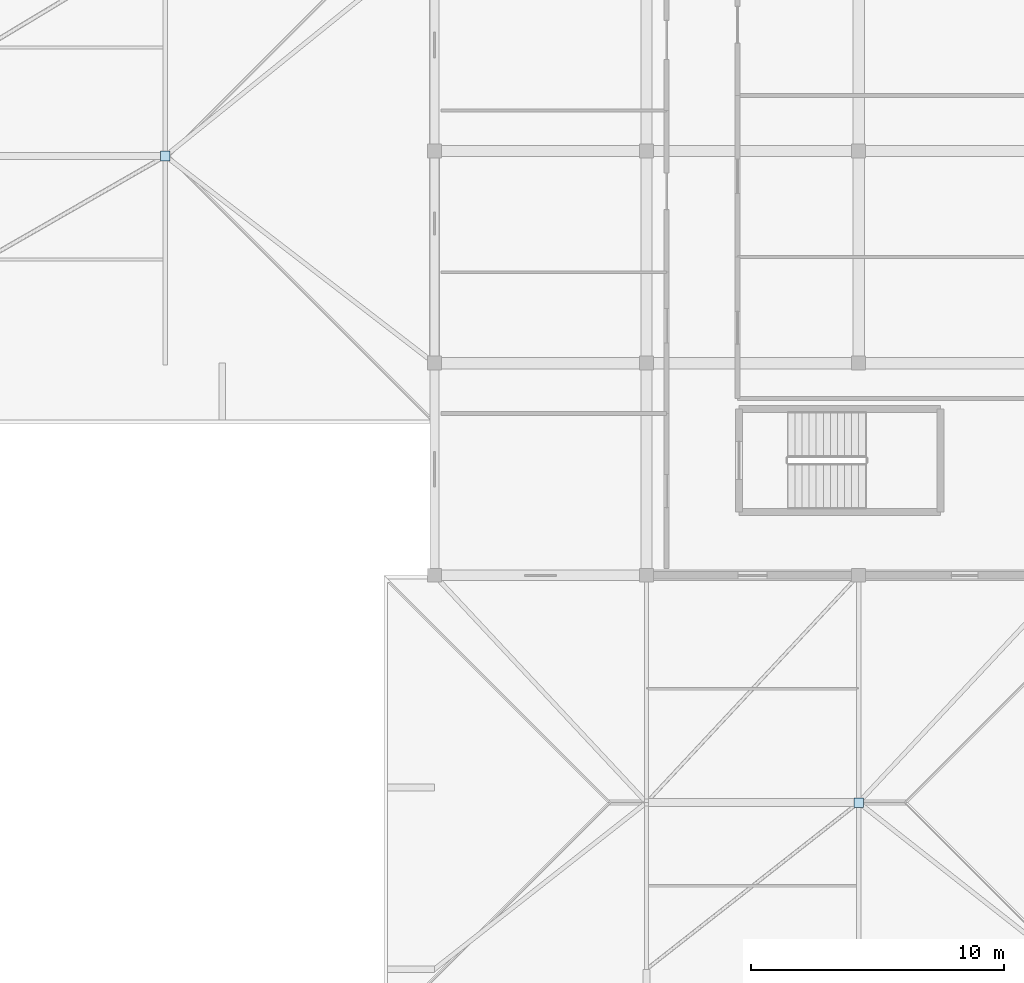
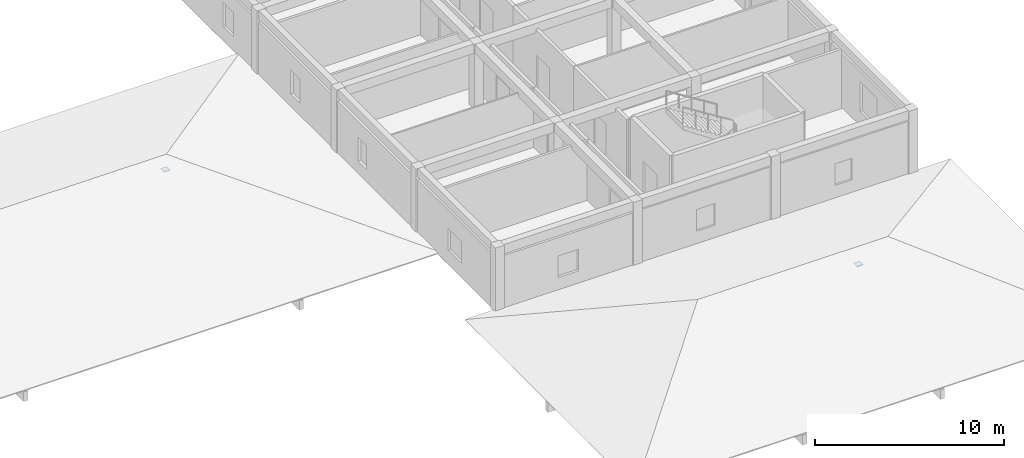
# One storey, part 13 of 42: 2 plates.
"""IFC4 building model written with IfcOpenShell, lengths in metres."""

from ifc_helpers import new_model, si_unit, direction, frame, origin, origin_2d, place, context, subcontext, project, spatial, rectangle, extrude, material, layer, layer_set, type_object, element, save


model = new_model("IFC4")

# Units and contexts
model_context = context("Model", 3, precision=1e-05, world=origin(), true_north=direction((0.0, 1.0)))
body_context = subcontext(model_context, "Body", "Model", "MODEL_VIEW")
ifc_project = project(units=[si_unit("LENGTHUNIT", "METRE"), si_unit("AREAUNIT", "SQUARE_METRE"), si_unit("VOLUMEUNIT", "CUBIC_METRE"), si_unit("PLANEANGLEUNIT", "RADIAN"), si_unit("MASSUNIT", "GRAM", prefix="KILO")], contexts=[model_context])

# Site, building, storey
site_placement = place(None, origin())
site = spatial("IfcSite", under=ifc_project, at=site_placement, CompositionType="ELEMENT")
building_placement = place(site_placement, origin())
building = spatial("IfcBuilding", under=site, at=building_placement, Name="Varncliffe General Hospital", CompositionType="ELEMENT")
storey_placement = place(building_placement, frame((0.0, 0.0, 20.39990234375)))
storey = spatial("IfcBuildingStorey", under=building, at=storey_placement, Name="L04", CompositionType="ELEMENT", Elevation=20.39990234375)

# Plates
ifc_material = material(Name="Steel S355 (CSA G40.21 350W)", Category="steel")
ifc_layer_1 = layer(ifc_material, 0.01611328125)
ifc_layer_set_1 = layer_set([ifc_layer_1], Name="Steel S355 (CSA G40.21 350W)")
plate_type_1 = type_object("IfcPlateType", Name="Steel Gusset and End Plate GP14 (16mm)", PredefinedType="SHEET", material=ifc_layer_set_1)
plate_1_placement = place(storey_placement, frame((140.550048828125, 32.199951171875, 2.666259765625), z_axis=(0.0, 0.0, 1.0), x_axis=(1.0, 0.0, 0.0)))
element("IfcPlate", 1, at=plate_1_placement, inside=storey, type_object=plate_type_1, Name="L04 RF-V5-S Lateral Brace Gusset Plate 1", PredefinedType="SHEET", context=body_context, shape_type="SweptSolid", body=[
    extrude(rectangle(XDim=0.3798828125, YDim=0.3798828125, at=origin_2d()), origin(), (0.0, 0.0, 1.0), 0.01611328125),
])
ifc_layer_2 = layer(ifc_material, 0.02392578125)
ifc_layer_set_2 = layer_set([ifc_layer_2], Name="Steel S355 (CSA G40.21 350W)")
plate_type_2 = type_object("IfcPlateType", Name="Steel Gusset and End Plate GP25 (24mm)", PredefinedType="SHEET", material=ifc_layer_set_2)
plate_2_placement = place(storey_placement, frame((168.0, 6.60009765625, 2.48193359375), z_axis=(0.0, 0.0, 1.0), x_axis=(1.0, 0.0, 0.0)))
element("IfcPlate", 2, at=plate_2_placement, inside=storey, type_object=plate_type_2, Name="L04 RF-V5-SE Lateral Brace Gusset Plate 1", PredefinedType="SHEET", context=body_context, shape_type="SweptSolid", body=[
    extrude(rectangle(XDim=0.3798828125, YDim=0.3798828125, at=origin_2d()), origin(), (0.0, 0.0, 1.0), 0.02392578125),
])

save(model, "model.ifc")
